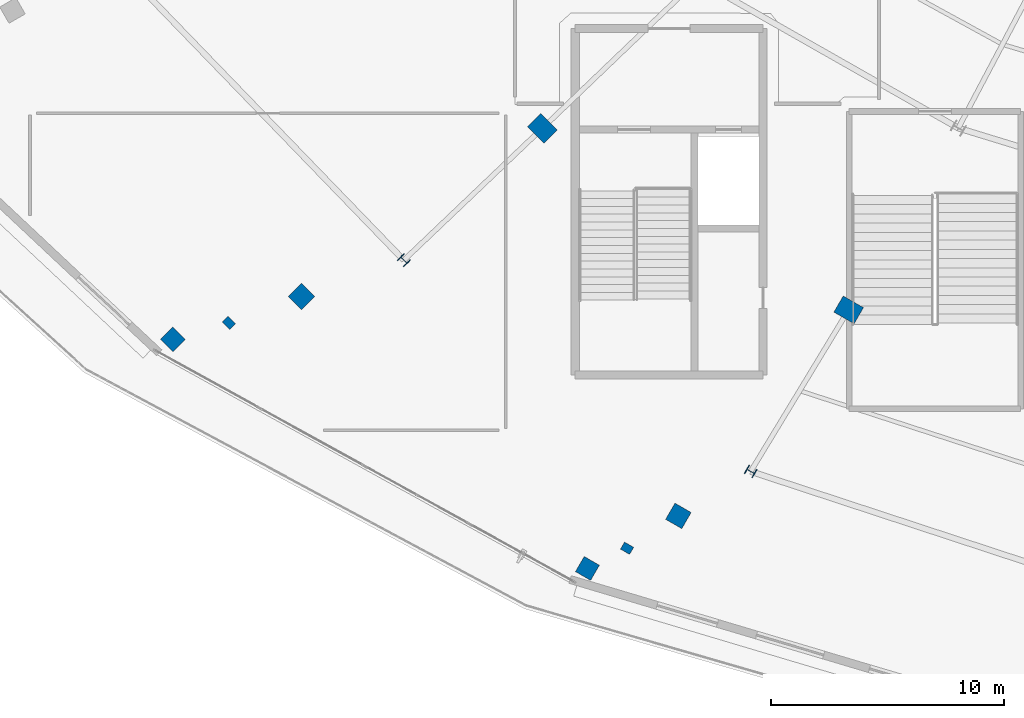
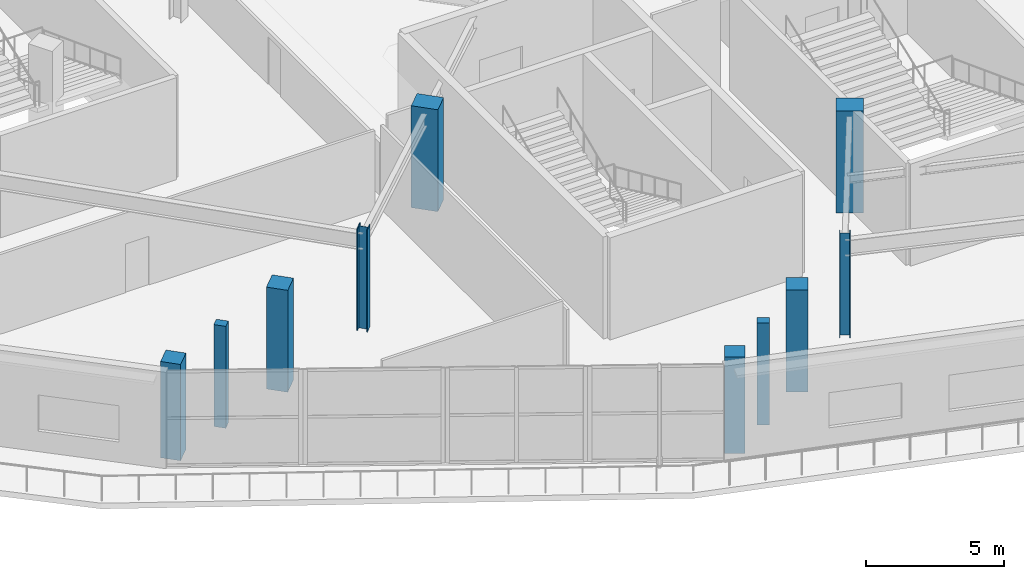
# One storey, part 1 of 107: 10 columns.
"""IFC4 building model written with IfcOpenShell, lengths in metres."""

from ifc_helpers import new_model, si_unit, direction, frame, origin, origin_2d, place, context, subcontext, project, spatial, rectangle, i_section, extrude, material, material_profile, profile_set, type_object, element, save


model = new_model("IFC4")

# Units and contexts
model_context = context("Model", 3, precision=1e-05, world=origin(), true_north=direction((0.0, 1.0)))
body_context = subcontext(model_context, "Body", "Model", "MODEL_VIEW")
ifc_project = project(units=[si_unit("LENGTHUNIT", "METRE"), si_unit("AREAUNIT", "SQUARE_METRE"), si_unit("VOLUMEUNIT", "CUBIC_METRE"), si_unit("PLANEANGLEUNIT", "RADIAN"), si_unit("MASSUNIT", "GRAM", prefix="KILO")], contexts=[model_context])

# Site, building, storey
site_placement = place(None, origin())
site = spatial("IfcSite", under=ifc_project, at=site_placement, CompositionType="ELEMENT")
building_placement = place(site_placement, origin())
building = spatial("IfcBuilding", under=site, at=building_placement, Name="Kalgoora Escarpment Arena", CompositionType="ELEMENT")
storey_placement = place(building_placement, frame((0.0, 0.0, 5.39990234375)))
storey = spatial("IfcBuildingStorey", under=building, at=storey_placement, Name="L01", CompositionType="ELEMENT", Elevation=5.39990234375)

# Columns
ifc_material_1 = material(Name="Structural steel Grade 350 (350 MPa)", Category="steel")
ifc_material_profile_1 = material_profile(ifc_material_1, i_section(OverallWidth=0.39990234375, OverallDepth=0.39990234375, WebThickness=0.01806640625, FlangeThickness=0.031982421875, at=origin_2d()))
ifc_profile_set_1 = profile_set([ifc_material_profile_1], Name="Structural steel Grade 350 (350 MPa)")
column_type_1 = type_object("IfcColumnType", Name="COL-COL-400WC270", PredefinedType="COLUMN", material=ifc_profile_set_1)
for number, where, z_axis, x_axis, name in (
    (1, (41.629638671875, 23.69482421875, 0.0), (0.0, 0.0, 1.0), (-0.707106781187, -0.707106781187, 0.0), "L01 structural column COL-RCONC2-R16"),
    (2, (56.5, 14.63671875, 0.0), (0.0, 0.0, 1.0), (-0.5, -0.866025403784, 0.0), "L01 structural column COL-RCONC2-R17"),
):
    element("IfcColumn", number, at=place(storey_placement, frame(where, z_axis=z_axis, x_axis=x_axis)), inside=storey, type_object=column_type_1, Name=name, PredefinedType="COLUMN", context=body_context, shape_type="SweptSolid", body=[
        extrude(i_section(OverallWidth=0.39990234375, OverallDepth=0.39990234375, WebThickness=0.01806640625, FlangeThickness=0.031982421875, at=origin_2d()), origin(), (0.0, 0.0, 1.0), 4.5),
    ])
ifc_material_2 = material(Name="Concrete N50 (fc' 50 MPa)", Category="concrete")
ifc_material_profile_2 = material_profile(ifc_material_2, rectangle(XDim=0.800048828125, YDim=1.0, at=origin_2d()))
ifc_profile_set_2 = profile_set([ifc_material_profile_2], Name="Concrete N50 (fc' 50 MPa)")
column_type_2 = type_object("IfcColumnType", Name="COL-COL-RC1000x800", PredefinedType="COLUMN", material=ifc_profile_set_2)
for number, where, z_axis, x_axis, name in (
    (3, (47.5693359375, 29.351806640625, 0.0), (0.0, 0.0, 1.0), (-0.707106781187, -0.707106781187, 0.0), "L01 structural column COL-RCONC1-R16"),
    (4, (60.699951171875, 21.564697265625, 0.0), (0.0, 0.0, 1.0), (-0.5, -0.866025403784, 0.0), "L01 structural column COL-RCONC1-R17"),
):
    element("IfcColumn", number, at=place(storey_placement, frame(where, z_axis=z_axis, x_axis=x_axis)), inside=storey, type_object=column_type_2, Name=name, PredefinedType="COLUMN", context=body_context, shape_type="SweptSolid", body=[
        extrude(rectangle(XDim=0.800048828125, YDim=1.0, at=origin_2d()), origin(), (0.0, 0.0, 1.0), 4.5),
    ])
ifc_material_3 = material(Name="Concrete N50 (fc' 50 MPa)", Category="concrete")
ifc_material_profile_3 = material_profile(ifc_material_3, rectangle(XDim=0.75, YDim=0.75, at=origin_2d()))
ifc_profile_set_3 = profile_set([ifc_material_profile_3], Name="Concrete N50 (fc' 50 MPa)")
column_type_3 = type_object("IfcColumnType", Name="COL-COL-RC750x750", PredefinedType="COLUMN", material=ifc_profile_set_3)
for number, where, z_axis, x_axis, name in (
    (5, (31.730224609375, 20.30078125, 0.0), (0.0, 0.0, 1.0), (-0.707106781187, -0.707106781187, 0.0), "L01 structural column COL-RBASE2-R16"),
    (6, (49.5, 10.4794921875, 0.0), (0.0, 0.0, 1.0), (-0.5, -0.866025403784, 0.0), "L01 structural column COL-RBASE2-R17"),
):
    element("IfcColumn", number, at=place(storey_placement, frame(where, z_axis=z_axis, x_axis=x_axis)), inside=storey, type_object=column_type_3, Name=name, PredefinedType="COLUMN", context=body_context, shape_type="SweptSolid", body=[
        extrude(rectangle(XDim=0.75, YDim=0.75, at=origin_2d()), origin(), (0.0, 0.0, 1.0), 4.25),
    ])
ifc_material_4 = material(Name="Concrete N50 (fc' 50 MPa)", Category="concrete")
ifc_material_profile_4 = material_profile(ifc_material_4, rectangle(XDim=0.800048828125, YDim=0.800048828125, at=origin_2d()))
ifc_profile_set_4 = profile_set([ifc_material_profile_4], Name="Concrete N50 (fc' 50 MPa)")
column_type_4 = type_object("IfcColumnType", Name="COL-COL-RC800x800", PredefinedType="COLUMN", material=ifc_profile_set_4)
for number, where, z_axis, x_axis, name in (
    (7, (37.24560546875, 22.139404296875, 0.0), (0.0, 0.0, 1.0), (-0.707106781187, -0.707106781187, 0.0), "L01 structural column COL-RBASE1-R16"),
    (8, (53.39990234375, 12.731201171875, 0.0), (0.0, 0.0, 1.0), (-0.5, -0.866025403784, 0.0), "L01 structural column COL-RBASE1-R17"),
):
    element("IfcColumn", number, at=place(storey_placement, frame(where, z_axis=z_axis, x_axis=x_axis)), inside=storey, type_object=column_type_4, Name=name, PredefinedType="COLUMN", context=body_context, shape_type="SweptSolid", body=[
        extrude(rectangle(XDim=0.800048828125, YDim=0.800048828125, at=origin_2d()), origin(), (0.0, 0.0, 1.0), 4.5),
    ])
ifc_material_5 = material(Name="Precast concrete N50 (fc' 50 MPa)", Category="concrete")
ifc_material_profile_5 = material_profile(ifc_material_5, rectangle(XDim=0.35009765625, YDim=0.449951171875, at=origin_2d()))
ifc_profile_set_5 = profile_set([ifc_material_profile_5], Name="Precast concrete N50 (fc' 50 MPa)")
column_type_5 = type_object("IfcColumnType", Name="COL-PIL-PC-PILASTER-450x350", PredefinedType="PILASTER", material=ifc_profile_set_5)
for number, where, z_axis, x_axis, name in (
    (9, (34.134033203125, 21.008056640625, 0.0), (0.0, 0.0, 1.0), (-0.707106781187, -0.707106781187, 0.0), "L01 fluted pilaster PIL-061"),
    (10, (51.199951171875, 11.345947265625, 0.0), (0.0, 0.0, 1.0), (-0.5, -0.866025403784, 0.0), "L01 fluted pilaster PIL-062"),
):
    element("IfcColumn", number, at=place(storey_placement, frame(where, z_axis=z_axis, x_axis=x_axis)), inside=storey, type_object=column_type_5, Name=name, PredefinedType="PILASTER", context=body_context, shape_type="SweptSolid", body=[
        extrude(rectangle(XDim=0.35009765625, YDim=0.449951171875, at=origin_2d()), origin(), (0.0, 0.0, 1.0), 4.5),
    ])

save(model, "model.ifc")
